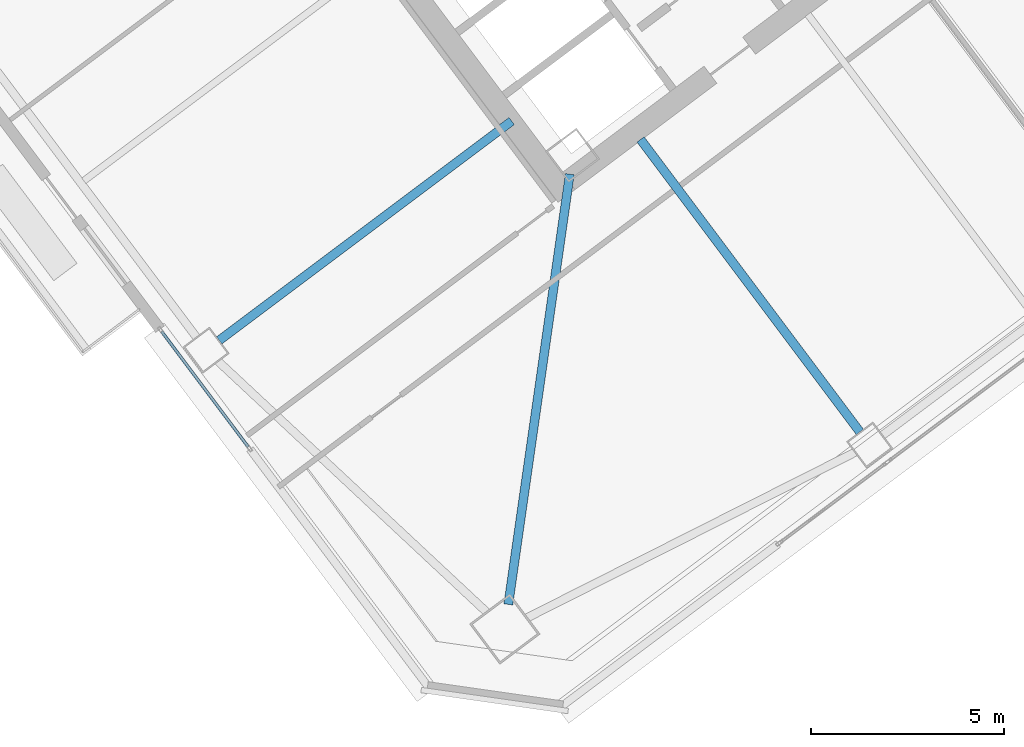
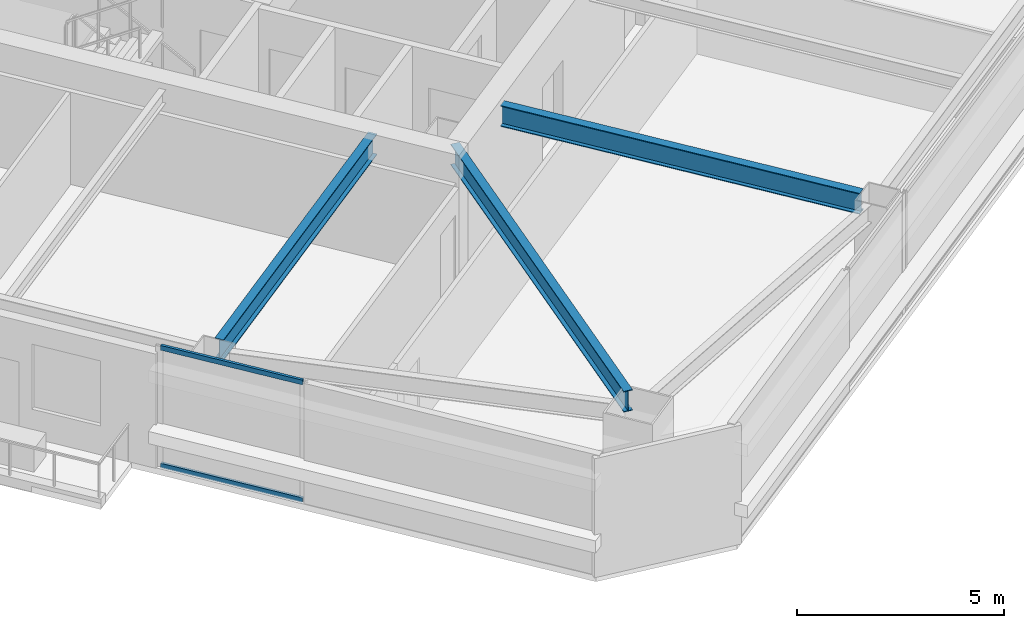
# One storey, part 19 of 40: 3 beams, 2 members, 1 element without a shape of its own.
"""IFC4 building model written with IfcOpenShell, lengths in metres."""

from ifc_helpers import new_model, si_unit, direction, frame, origin, origin_2d, place, context, subcontext, project, spatial, hollow_rectangle, i_section, extrude, material, material_profile, profile_set, type_object, element, aggregate, save


model = new_model("IFC4")

# Units and contexts
model_context = context("Model", 3, precision=1e-05, world=origin(), true_north=direction((0.0, 1.0)))
body_context = subcontext(model_context, "Body", "Model", "MODEL_VIEW")
ifc_project = project(units=[si_unit("LENGTHUNIT", "METRE"), si_unit("AREAUNIT", "SQUARE_METRE"), si_unit("VOLUMEUNIT", "CUBIC_METRE"), si_unit("PLANEANGLEUNIT", "RADIAN"), si_unit("MASSUNIT", "GRAM", prefix="KILO")], contexts=[model_context])

# Site, building, storey
site_placement = place(None, origin())
site = spatial("IfcSite", under=ifc_project, at=site_placement, CompositionType="ELEMENT")
building_placement = place(site_placement, origin())
building = spatial("IfcBuilding", under=site, at=building_placement, Name="Tashvorn Skyway Center", CompositionType="ELEMENT")
storey_placement = place(building_placement, frame((0.0, 0.0, 142.800048828125)))
storey = spatial("IfcBuildingStorey", under=building, at=storey_placement, Name="L38", CompositionType="ELEMENT", Elevation=142.800048828125)

# Beams
ifc_material_1 = material(Name="Steel ASTM A992 Grade 50", Category="steel")
ifc_material_profile_1 = material_profile(ifc_material_1, i_section(OverallWidth=0.22998046875, OverallDepth=0.616943359375, WebThickness=0.01318359375, FlangeThickness=0.022216796875, at=origin_2d()), Name="W24X94")
ifc_profile_set_1 = profile_set([ifc_material_profile_1], Name="Steel ASTM A992 Grade 50")
beam_type = type_object("IfcBeamType", Name="BM-BEAM-W24X94", PredefinedType="BEAM", material=ifc_profile_set_1)
beam_placement = place(storey_placement, frame((110.93115234375, 10.5185546875, 3.0615234375), z_axis=(0.141430483583, 0.989948189712, 0.0), x_axis=(-0.989948189712, 0.141430483583, 0.0)))
element("IfcBeam", 1, at=beam_placement, inside=storey, type_object=beam_type, Name="Tower 2 L38 Primary Floor Girder MC-SW", PredefinedType="BEAM", context=body_context, shape_type="SweptSolid", body=[
    extrude(i_section(OverallWidth=0.22998046875, OverallDepth=0.616943359375, WebThickness=0.01318359375, FlangeThickness=0.022216796875, at=origin_2d()), origin(), (0.0, 0.0, 1.0), 11.234375),
])
for number, where, z_axis, x_axis, name in (
    (2, (120.01806640625, 14.97607421875, 3.0615234375), (-0.600020667896, 0.799984498661, 0.0), (-0.799984498661, -0.600020667896, 0.0), "Tower 2 L38 Primary Floor Girder FC-S1"),
    (3, (103.4560546875, 17.342041015625, 3.0615234375), (0.800006200354, 0.599991732772, 0.0), (-0.599991732772, 0.800006200354, 0.0), "Tower 2 L38 Primary Floor Girder FC-W2"),
):
    element("IfcBeam", number, at=place(storey_placement, frame(where, z_axis=z_axis, x_axis=x_axis)), inside=storey, type_object=beam_type, Name=name, PredefinedType="BEAM", context=body_context, shape_type="SweptSolid", body=[
        extrude(i_section(OverallWidth=0.22998046875, OverallDepth=0.616943359375, WebThickness=0.01318359375, FlangeThickness=0.022216796875, at=origin_2d()), origin(), (0.0, 0.0, 1.0), 9.449951171875),
    ])

# Curtain wall, members
ifc_material_2 = material(Name="Thermally broken bronze-anodized aluminium 6063-T6", Category="aluminium")
curtain_wall_type = type_object("IfcCurtainWallType", Name="CW-CW-Z3", PredefinedType="NOTDEFINED", material=ifc_material_2)
curtain_wall_placement = place(storey_placement, origin())
curtain_wall = element("IfcCurtainWall", 4, at=curtain_wall_placement, inside=storey, type_object=curtain_wall_type, Name="Tower 2 L38 West Curtain Wall L Glazing Group 1", PredefinedType="NOTDEFINED")
ifc_material_profile_2 = material_profile(ifc_material_2, hollow_rectangle(XDim=0.074951171875, YDim=0.139892578125, WallThickness=0.004150390625, at=origin_2d()), Name="ALU-TRAN-75x140")
ifc_profile_set_2 = profile_set([ifc_material_profile_2], Name="Thermally broken bronze-anodized aluminium 6063-T6")
member_type = type_object("IfcMemberType", Name="CWT-CW-Z3", PredefinedType="USERDEFINED", material=ifc_profile_set_2)
member_1_placement = place(storey_placement, frame((104.20703125, 14.5908203125, 0.037353515625), z_axis=(-0.600031445665, 0.799976414785, 0.0), x_axis=(-0.799976414785, -0.600031445665, 0.0)))
member_1 = element("IfcMember", 5, at=member_1_placement, type_object=member_type, Name="CW-Z3 transom 1.1", ObjectType="TRANSOM", PredefinedType="USERDEFINED", context=body_context, shape_type="SweptSolid", body=[
    extrude(hollow_rectangle(XDim=0.074951171875, YDim=0.139892578125, WallThickness=0.004150390625, at=origin_2d()), origin(), (0.0, 0.0, 1.0), 3.7265625),
])
member_2_placement = place(storey_placement, frame((104.20703125, 14.5908203125, 3.512451171875), z_axis=(-0.600031445665, 0.799976414785, 0.0), x_axis=(-0.799976414785, -0.600031445665, 0.0)))
member_2 = element("IfcMember", 6, at=member_2_placement, type_object=member_type, Name="CW-Z3 transom 1.2", ObjectType="TRANSOM", PredefinedType="USERDEFINED", context=body_context, shape_type="SweptSolid", body=[
    extrude(hollow_rectangle(XDim=0.074951171875, YDim=0.139892578125, WallThickness=0.004150390625, at=origin_2d()), origin(), (0.0, 0.0, 1.0), 3.7265625),
])
aggregate(curtain_wall, [member_1, member_2])

save(model, "model.ifc")
